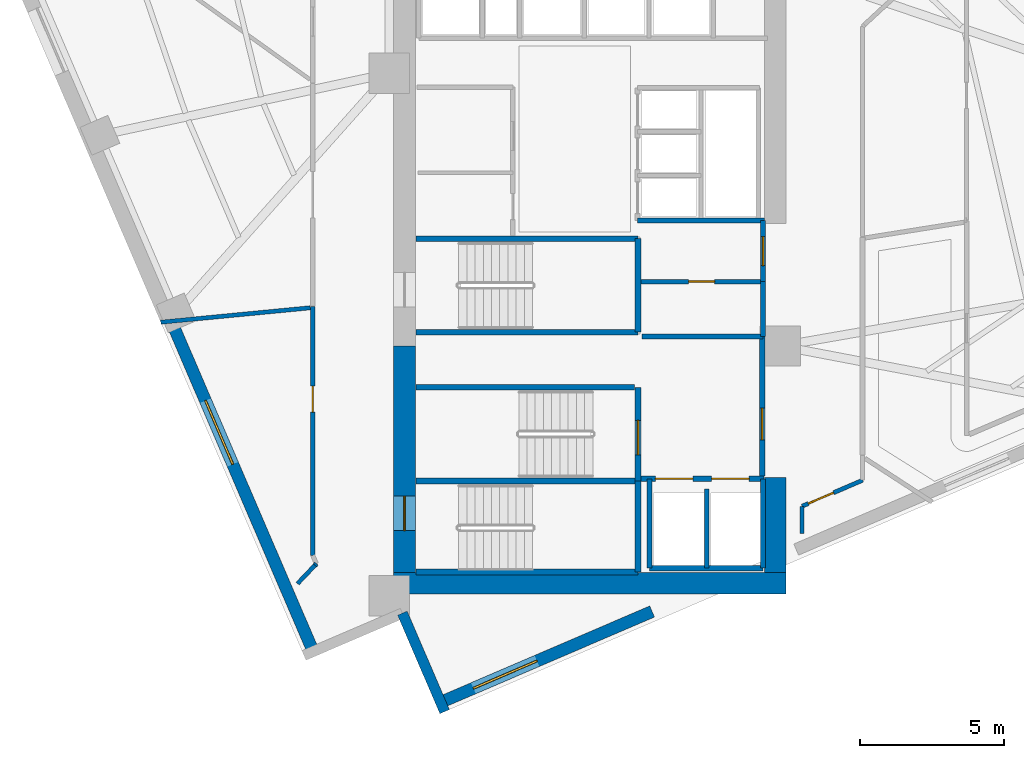
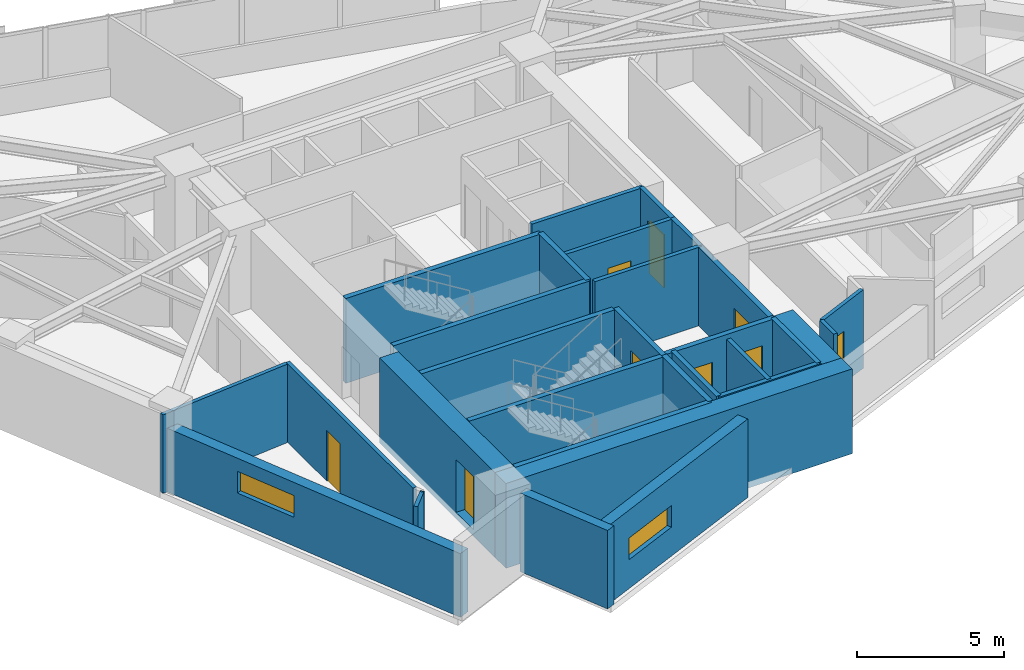
# One storey, part 9 of 14: 31 walls, 9 doors, 2 windows, 11 openings.
"""IFC4 building model written with IfcOpenShell, lengths in metres."""

from ifc_helpers import new_model, si_unit, direction, frame, frame_2d, origin, place, context, subcontext, project, spatial, rectangle, extrude, material, layer, layer_set, type_object, element, fill, save


model = new_model("IFC4")

# Units and contexts
model_context = context("Model", 3, precision=1e-05, world=origin(), true_north=direction((0.0, 1.0)))
body_context = subcontext(model_context, "Body", "Model", "MODEL_VIEW")
ifc_project = project(units=[si_unit("LENGTHUNIT", "METRE"), si_unit("AREAUNIT", "SQUARE_METRE"), si_unit("VOLUMEUNIT", "CUBIC_METRE"), si_unit("PLANEANGLEUNIT", "RADIAN"), si_unit("MASSUNIT", "GRAM", prefix="KILO")], contexts=[model_context])

# Site, building, storey
site_placement = place(None, origin())
site = spatial("IfcSite", under=ifc_project, at=site_placement, CompositionType="ELEMENT")
building_placement = place(site_placement, origin())
building = spatial("IfcBuilding", under=site, at=building_placement, Name="Narakoshi Arena Tower", CompositionType="ELEMENT")
storey_placement = place(building_placement, frame((0.0, 0.0, 179.10009765625)))
storey = spatial("IfcBuildingStorey", under=building, at=storey_placement, Name="L48", CompositionType="ELEMENT", Elevation=179.10009765625)

# Wall, opening, door
ifc_material_1 = material(Name="Concrete C50/60", Category="concrete")
ifc_layer_1 = layer(ifc_material_1, 0.75)
ifc_layer_set_1 = layer_set([ifc_layer_1], Name="Concrete C50/60")
wall_type_1 = type_object("IfcWallType", Name="WL-CORE-750", PredefinedType="SHEAR", material=ifc_layer_set_1)
wall_1_placement = place(storey_placement, frame((72.52490234375, 35.5, -0.260009765625), z_axis=(0.0, 0.0, 1.0), x_axis=(0.0, 1.0, 0.0)))
wall_1 = element("IfcWall", 1, at=wall_1_placement, inside=storey, type_object=wall_type_1, Name="L48 Central Core Shear Wall CW-APX-W", PredefinedType="SHEAR", context=body_context, shape_type="SweptSolid", body=[
    extrude(rectangle(XDim=7.85009765625, YDim=0.75, at=frame_2d((3.925048828125, 0.0))), origin(), (0.0, 0.0, 1.0), 3.52001953125),
])
opening_1_placement = place(wall_1_placement, frame((1.449951171875, 0.0, 0.260009765625)))
opening_1 = element("IfcOpeningElement", 2, at=opening_1_placement, cuts=wall_1, Name="Opening D-03", PredefinedType="OPENING", context=body_context, shape_type="SweptSolid", body=[
    extrude(rectangle(XDim=1.199951171875, YDim=2.199951171875, at=frame_2d((0.60009765625, 1.10009765625))), frame((0.0, 0.385009765625, 0.0), z_axis=(0.0, -1.0, 0.0), x_axis=(1.0, 0.0, 0.0)), (0.0, 0.0, 1.0), 0.77001953125),
])
ifc_material_2 = material(Name="Painted galvanized steel", Category="steel")
door_type_1 = type_object("IfcDoorType", Name="DR-STR-1200", OperationType="NOTDEFINED", PredefinedType="USERDEFINED", material=ifc_material_2)
door_1_placement = place(opening_1_placement, frame((1.199951171875, 0.0, 0.0), z_axis=(0.0, 0.0, 1.0), x_axis=(-1.0, 0.0, 0.0)))
door_1 = element("IfcDoor", 3, at=door_1_placement, inside=storey, type_object=door_type_1, Name="DR-L48-001", ObjectType="EXITDOOR", OperationType="SINGLE_SWING_LEFT", OverallHeight=2.199951171875, OverallWidth=1.199951171875, PredefinedType="USERDEFINED", context=body_context, shape_type="SweptSolid", body=[
    extrude(rectangle(XDim=1.199951171875, YDim=2.199951171875, at=frame_2d((0.60009765625, 1.10009765625))), frame((0.0, 0.02490234375, 0.0), z_axis=(0.0, -1.0, 0.0), x_axis=(1.0, 0.0, 0.0)), (0.0, 0.0, 1.0), 0.050048828125),
])
fill(opening_1, door_1)

# Walls
wall_2_placement = place(storey_placement, frame((72.14990234375, 35.125, -0.260009765625), z_axis=(0.0, 0.0, 1.0), x_axis=(1.0, 0.0, 0.0)))
element("IfcWall", 4, at=wall_2_placement, inside=storey, type_object=wall_type_1, Name="L48 Central Core Shear Wall CW-APX-S", PredefinedType="SHEAR", context=body_context, shape_type="SweptSolid", body=[
    extrude(rectangle(XDim=13.60009765625, YDim=0.75, at=frame_2d((6.800048828125, 0.0))), origin(), (0.0, 0.0, 1.0), 3.52001953125),
])
wall_3_placement = place(storey_placement, frame((85.375, 35.5, -0.260009765625), z_axis=(0.0, 0.0, 1.0), x_axis=(0.0, 1.0, 0.0)))
element("IfcWall", 5, at=wall_3_placement, inside=storey, type_object=wall_type_1, Name="L48 Central Core Shear Wall CW-APX-E", PredefinedType="SHEAR", context=body_context, shape_type="SweptSolid", body=[
    extrude(rectangle(XDim=3.300048828125, YDim=0.75, at=frame_2d((1.64990234375, 0.0))), origin(), (0.0, 0.0, 1.0), 3.52001953125),
])

# Wall, opening, door
ifc_material_3 = material(Name="Gypsum plasterboard fire-rated partition")
ifc_layer_2 = layer(ifc_material_3, 0.1650390625)
ifc_layer_set_2 = layer_set([ifc_layer_2], Name="Gypsum plasterboard fire-rated partition")
wall_type_2 = type_object("IfcWallType", Name="WL-CORR-165", PredefinedType="PARTITIONING", material=ifc_layer_set_2)
wall_4_placement = place(storey_placement, frame((84.949951171875, 45.580078125, 0.0), z_axis=(0.0, 0.0, 1.0), x_axis=(0.0, 1.0, 0.0)))
wall_4 = element("IfcWall", 6, at=wall_4_placement, inside=storey, type_object=wall_type_2, Name="L48 Core Wall CPAS-E", PredefinedType="PARTITIONING", context=body_context, shape_type="SweptSolid", body=[
    extrude(rectangle(XDim=2.119873046875, YDim=0.1650390625, at=frame_2d((1.06005859375, 0.0))), origin(), (0.0, 0.0, 1.0), 3.260009765625),
])
opening_2_placement = place(wall_4_placement, frame((0.56005859375, 0.0, 0.0)))
opening_2 = element("IfcOpeningElement", 7, at=opening_2_placement, cuts=wall_4, Name="Opening D-06", PredefinedType="OPENING", context=body_context, shape_type="SweptSolid", body=[
    extrude(rectangle(XDim=1.0, YDim=2.199951171875, at=frame_2d((0.5, 1.10009765625))), frame((0.0, 0.092529296875, 0.0), z_axis=(0.0, -1.0, 0.0), x_axis=(1.0, 0.0, 0.0)), (0.0, 0.0, 1.0), 0.18505859375),
])
ifc_material_4 = material(Name="Stained oak solid-core timber", Category="wood")
door_type_2 = type_object("IfcDoorType", Name="DR-OFF-1000", OperationType="NOTDEFINED", PredefinedType="DOOR", material=ifc_material_4)
door_2_placement = place(opening_2_placement, frame((1.0, 0.0, 0.0), z_axis=(0.0, 0.0, 1.0), x_axis=(-1.0, 0.0, 0.0)))
door_2 = element("IfcDoor", 8, at=door_2_placement, inside=storey, type_object=door_type_2, Name="DR-L48-007", OperationType="SINGLE_SWING_LEFT", OverallHeight=2.199951171875, OverallWidth=1.0, PredefinedType="DOOR", context=body_context, shape_type="SweptSolid", body=[
    extrude(rectangle(XDim=1.0, YDim=2.199951171875, at=frame_2d((0.5, 1.10009765625))), frame((0.0, 0.02490234375, 0.0), z_axis=(0.0, -1.0, 0.0), x_axis=(1.0, 0.0, 0.0)), (0.0, 0.0, 1.0), 0.050048828125),
])
fill(opening_2, door_2)

# Wall, opening, window
ifc_material_5 = material(Name="Precast concrete C45/55", Category="concrete")
ifc_layer_3 = layer(ifc_material_5, 0.419921875)
ifc_layer_set_3 = layer_set([ifc_layer_3], Name="Precast concrete C45/55")
wall_type_3 = type_object("IfcWallType", Name="WL-POD-420", PredefinedType="SOLIDWALL", material=ifc_layer_set_3)
wall_5_placement = place(storey_placement, frame((73.77880859375, 31.002685546875, 0.0), z_axis=(0.0, 0.0, 1.0), x_axis=(0.918797817688, 0.394728476565, 0.0)))
wall_5 = element("IfcWall", 9, at=wall_5_placement, inside=storey, type_object=wall_type_3, Name="L48 Architectural Concrete Facade Wall LEGA-1", PredefinedType="SOLIDWALL", context=body_context, shape_type="SweptSolid", body=[
    extrude(rectangle(XDim=7.97314453125, YDim=0.419921875, at=frame_2d((3.986572265625, 0.0))), origin(), (0.0, 0.0, 1.0), 3.260009765625),
])
opening_3_placement = place(wall_5_placement, frame((1.234130859375, 0.0, 1.199951171875)))
opening_3 = element("IfcOpeningElement", 10, at=opening_3_placement, cuts=wall_5, Name="Opening WN-01", PredefinedType="OPENING", context=body_context, shape_type="SweptSolid", body=[
    extrude(rectangle(XDim=2.39990234375, YDim=0.89990234375, at=frame_2d((1.199951171875, 0.449951171875))), frame((0.0, 0.219970703125, 0.0), z_axis=(0.0, -1.0, 0.0), x_axis=(1.0, 0.0, 0.0)), (0.0, 0.0, 1.0), 0.43994140625),
])
ifc_material_6 = material(Name="Bronze-tinted low-E laminated glass", Category="glass")
window_type = type_object("IfcWindowType", Name="WIN-SLT-24x09", PartitioningType="SINGLE_PANEL", PredefinedType="WINDOW", material=ifc_material_6)
window_1_placement = place(opening_3_placement, origin())
window_1 = element("IfcWindow", 11, at=window_1_placement, inside=storey, type_object=window_type, Name="L48 LEGA1 Horizontal Slot Window 1", OverallHeight=0.89990234375, OverallWidth=2.39990234375, PartitioningType="SINGLE_PANEL", PredefinedType="WINDOW", context=body_context, shape_type="SweptSolid", body=[
    extrude(rectangle(XDim=2.39990234375, YDim=0.89990234375, at=frame_2d((1.199951171875, 0.449951171875))), frame((0.0, 0.030029296875, 0.0), z_axis=(0.0, -1.0, 0.0), x_axis=(1.0, 0.0, 0.0)), (0.0, 0.0, 1.0), 0.06005859375),
])
fill(opening_3, window_1)

wall_6_placement = place(storey_placement, frame((64.36669921875, 44.390869140625, 0.0), z_axis=(0.0, 0.0, 1.0), x_axis=(0.394757430431, -0.918785378159, 0.0)))
wall_6 = element("IfcWall", 12, at=wall_6_placement, inside=storey, type_object=wall_type_3, Name="L48 Architectural Concrete Facade Wall LEGB-3", PredefinedType="SOLIDWALL", context=body_context, shape_type="SweptSolid", body=[
    extrude(rectangle(XDim=12.653564453125, YDim=0.419921875, at=frame_2d((6.32666015625, 0.0))), origin(), (0.0, 0.0, 1.0), 2.64501953125),
])
opening_4_placement = place(wall_6_placement, frame((3.193115234375, 0.0, 1.199951171875)))
opening_4 = element("IfcOpeningElement", 13, at=opening_4_placement, cuts=wall_6, Name="Opening WN-01", PredefinedType="OPENING", context=body_context, shape_type="SweptSolid", body=[
    extrude(rectangle(XDim=2.39990234375, YDim=0.89990234375, at=frame_2d((1.199951171875, 0.449951171875))), frame((0.0, 0.219970703125, 0.0), z_axis=(0.0, -1.0, 0.0), x_axis=(1.0, 0.0, 0.0)), (0.0, 0.0, 1.0), 0.43994140625),
])
window_2_placement = place(opening_4_placement, origin())
window_2 = element("IfcWindow", 14, at=window_2_placement, inside=storey, type_object=window_type, Name="L48 LEGB3 Horizontal Slot Window 1", OverallHeight=0.89990234375, OverallWidth=2.39990234375, PartitioningType="SINGLE_PANEL", PredefinedType="WINDOW", context=body_context, shape_type="SweptSolid", body=[
    extrude(rectangle(XDim=2.39990234375, YDim=0.89990234375, at=frame_2d((1.199951171875, 0.449951171875))), frame((0.0, 0.030029296875, 0.0), z_axis=(0.0, -1.0, 0.0), x_axis=(1.0, 0.0, 0.0)), (0.0, 0.0, 1.0), 0.06005859375),
])
fill(opening_4, window_2)

# Walls
wall_7_placement = place(storey_placement, frame((72.451416015625, 34.09228515625, 0.0), z_axis=(0.0, 0.0, 1.0), x_axis=(0.394752464447, -0.918787511786, 0.0)))
element("IfcWall", 15, at=wall_7_placement, inside=storey, type_object=wall_type_3, Name="L48 Re-Entrant Corner Notch Wall NTA-2", PredefinedType="SOLIDWALL", context=body_context, shape_type="SweptSolid", body=[
    extrude(rectangle(XDim=3.712646484375, YDim=0.360107421875, at=frame_2d((1.8564453125, 0.0))), origin(), (0.0, 0.0, 1.0), 3.260009765625),
])
ifc_material_7 = material(Name="Concrete C40/50", Category="concrete")
ifc_layer_4 = layer(ifc_material_7, 0.280029296875)
ifc_layer_set_4 = layer_set([ifc_layer_4], Name="Concrete C40/50")
wall_type_4 = type_object("IfcWallType", Name="WL-RISER-280", PredefinedType="PLUMBINGWALL", material=ifc_layer_set_4)
wall_8_placement = place(storey_placement, frame((83.0, 35.64990234375, 0.0), z_axis=(0.0, 0.0, 1.0), x_axis=(0.0, 1.0, 0.0)))
element("IfcWall", 16, at=wall_8_placement, inside=storey, type_object=wall_type_4, Name="L48 Core Wall FF-DIV", PredefinedType="PLUMBINGWALL", context=body_context, shape_type="SweptSolid", body=[
    extrude(rectangle(XDim=2.75, YDim=0.159912109375, at=frame_2d((1.375, 0.0))), origin(), (0.0, 0.0, 1.0), 3.260009765625),
])
wall_9_placement = place(storey_placement, frame((84.949951171875, 43.679931640625, 0.0), z_axis=(0.0, 0.0, 1.0), x_axis=(0.0, 1.0, 0.0)))
element("IfcWall", 17, at=wall_9_placement, inside=storey, type_object=wall_type_4, Name="L48 Core Wall RSR-E", PredefinedType="PLUMBINGWALL", context=body_context, shape_type="SweptSolid", body=[
    extrude(rectangle(XDim=1.900146484375, YDim=0.1650390625, at=frame_2d((0.9501953125, 0.0))), origin(), (0.0, 0.0, 1.0), 3.260009765625),
])

# Wall, opening, door
wall_10_placement = place(storey_placement, frame((80.719970703125, 45.580078125, 0.0), z_axis=(0.0, 0.0, 1.0), x_axis=(1.0, 0.0, 0.0)))
wall_10 = element("IfcWall", 18, at=wall_10_placement, inside=storey, type_object=wall_type_4, Name="L48 Core Wall RSR-N", PredefinedType="PLUMBINGWALL", context=body_context, shape_type="SweptSolid", body=[
    extrude(rectangle(XDim=4.22998046875, YDim=0.159912109375, at=frame_2d((2.114990234375, 0.0))), origin(), (0.0, 0.0, 1.0), 3.260009765625),
])
opening_5_placement = place(wall_10_placement, frame((1.64990234375, 0.0, 0.0)))
opening_5 = element("IfcOpeningElement", 19, at=opening_5_placement, cuts=wall_10, Name="Opening D-08", PredefinedType="OPENING", context=body_context, shape_type="SweptSolid", body=[
    extrude(rectangle(XDim=0.89990234375, YDim=2.10009765625, at=frame_2d((0.449951171875, 1.050048828125))), frame((0.0, 0.08984375, 0.0), z_axis=(0.0, -1.0, 0.0), x_axis=(1.0, 0.0, 0.0)), (0.0, 0.0, 1.0), 0.179931640625),
])
ifc_material_8 = material(Name="Moisture-resistant laminate timber", Category="wood")
door_type_3 = type_object("IfcDoorType", Name="DR-WC-900", OperationType="NOTDEFINED", PredefinedType="DOOR", material=ifc_material_8)
door_3_placement = place(opening_5_placement, frame((0.89990234375, 0.0, 0.0), z_axis=(0.0, 0.0, 1.0), x_axis=(-1.0, 0.0, 0.0)))
door_3 = element("IfcDoor", 20, at=door_3_placement, inside=storey, type_object=door_type_3, Name="DR-L48-008", OperationType="SINGLE_SWING_LEFT", OverallHeight=2.10009765625, OverallWidth=0.89990234375, PredefinedType="DOOR", context=body_context, shape_type="SweptSolid", body=[
    extrude(rectangle(XDim=0.89990234375, YDim=2.10009765625, at=frame_2d((0.449951171875, 1.050048828125))), frame((0.0, 0.02490234375, 0.0), z_axis=(0.0, -1.0, 0.0), x_axis=(1.0, 0.0, 0.0)), (0.0, 0.0, 1.0), 0.050048828125),
])
fill(opening_5, door_3)

# Walls
wall_11_placement = place(storey_placement, frame((80.760009765625, 43.679931640625, 0.0), z_axis=(0.0, 0.0, 1.0), x_axis=(1.0, 0.0, 0.0)))
element("IfcWall", 21, at=wall_11_placement, inside=storey, type_object=wall_type_4, Name="L48 Core Wall RSR-S", PredefinedType="PLUMBINGWALL", context=body_context, shape_type="SweptSolid", body=[
    extrude(rectangle(XDim=4.18994140625, YDim=0.159912109375, at=frame_2d((2.094970703125, 0.0))), origin(), (0.0, 0.0, 1.0), 3.260009765625),
])
ifc_layer_5 = layer(ifc_material_1, 0.35009765625)
ifc_layer_set_5 = layer_set([ifc_layer_5], Name="Concrete C50/60")
wall_type_5 = type_object("IfcWallType", Name="WL-SHAFT-350", PredefinedType="SOLIDWALL", material=ifc_layer_set_5)
for number, where, z_axis, x_axis, name in (
    (22, (72.919921875, 35.52001953125, -0.260009765625), (0.0, 0.0, 1.0), (1.0, 0.0, 0.0), "L48 Core Wall ST1-S"),
    (23, (72.919921875, 38.675048828125, -0.260009765625), (0.0, 0.0, 1.0), (1.0, 0.0, 0.0), "L48 Core Wall ST12-DIV"),
):
    element("IfcWall", number, at=place(storey_placement, frame(where, z_axis=z_axis, x_axis=x_axis)), inside=storey, type_object=wall_type_5, Name=name, PredefinedType="SOLIDWALL", context=body_context, shape_type="SweptSolid", body=[
        extrude(rectangle(XDim=7.7001953125, YDim=0.199951171875, at=frame_2d((3.85009765625, 0.0))), origin(), (0.0, 0.0, 1.0), 3.52001953125),
    ])
wall_12_placement = place(storey_placement, frame((80.6201171875, 35.52001953125, -0.260009765625), z_axis=(0.0, 0.0, 1.0), x_axis=(0.0, 1.0, 0.0)))
element("IfcWall", 24, at=wall_12_placement, inside=storey, type_object=wall_type_5, Name="L48 Core Wall ST1-E", PredefinedType="SOLIDWALL", context=body_context, shape_type="SweptSolid", body=[
    extrude(rectangle(XDim=3.155029296875, YDim=0.199951171875, at=frame_2d((1.57763671875, 0.0))), origin(), (0.0, 0.0, 1.0), 3.52001953125),
])

# Wall, opening, door
wall_13_placement = place(storey_placement, frame((80.6201171875, 38.675048828125, -0.260009765625), z_axis=(0.0, 0.0, 1.0), x_axis=(0.0, 1.0, 0.0)))
wall_13 = element("IfcWall", 25, at=wall_13_placement, inside=storey, type_object=wall_type_5, Name="L48 Core Wall ST2-E", PredefinedType="SOLIDWALL", context=body_context, shape_type="SweptSolid", body=[
    extrude(rectangle(XDim=3.244873046875, YDim=0.199951171875, at=frame_2d((1.62255859375, 0.0))), origin(), (0.0, 0.0, 1.0), 3.52001953125),
])
opening_6_placement = place(wall_13_placement, frame((0.89990234375, 0.0, 0.260009765625)))
opening_6 = element("IfcOpeningElement", 26, at=opening_6_placement, cuts=wall_13, Name="Opening D-03", PredefinedType="OPENING", context=body_context, shape_type="SweptSolid", body=[
    extrude(rectangle(XDim=1.199951171875, YDim=2.199951171875, at=frame_2d((0.60009765625, 1.10009765625))), frame((0.0, 0.10986328125, 0.0), z_axis=(0.0, -1.0, 0.0), x_axis=(1.0, 0.0, 0.0)), (0.0, 0.0, 1.0), 0.219970703125),
])
door_4_placement = place(opening_6_placement, origin())
door_4 = element("IfcDoor", 27, at=door_4_placement, inside=storey, type_object=door_type_1, Name="DR-L48-002", ObjectType="EXITDOOR", OperationType="SINGLE_SWING_RIGHT", OverallHeight=2.199951171875, OverallWidth=1.199951171875, PredefinedType="USERDEFINED", context=body_context, shape_type="SweptSolid", body=[
    extrude(rectangle(XDim=1.199951171875, YDim=2.199951171875, at=frame_2d((0.60009765625, 1.10009765625))), frame((0.0, 0.02490234375, 0.0), z_axis=(0.0, -1.0, 0.0), x_axis=(1.0, 0.0, 0.0)), (0.0, 0.0, 1.0), 0.050048828125),
])
fill(opening_6, door_4)

# Wall, openings, doors
wall_14_placement = place(storey_placement, frame((80.719970703125, 38.75, 0.0), z_axis=(0.0, 0.0, 1.0), x_axis=(1.0, 0.0, 0.0)))
wall_14 = element("IfcWall", 28, at=wall_14_placement, inside=storey, type_object=wall_type_5, Name="L48 Core Wall FF-N", PredefinedType="SOLIDWALL", context=body_context, shape_type="SweptSolid", body=[
    extrude(rectangle(XDim=4.260009765625, YDim=0.199951171875, at=frame_2d((2.1298828125, 0.0))), origin(), (0.0, 0.0, 1.0), 3.260009765625),
])
opening_7_placement = place(wall_14_placement, frame((0.5, 0.0, 0.0)))
opening_7 = element("IfcOpeningElement", 29, at=opening_7_placement, cuts=wall_14, Name="Opening LD-02", PredefinedType="OPENING", context=body_context, shape_type="SweptSolid", body=[
    extrude(rectangle(XDim=1.300048828125, YDim=2.300048828125, at=frame_2d((0.64990234375, 1.14990234375))), frame((0.0, 0.10986328125, 0.0), z_axis=(0.0, -1.0, 0.0), x_axis=(1.0, 0.0, 0.0)), (0.0, 0.0, 1.0), 0.219970703125),
])
opening_8_placement = place(wall_14_placement, frame((2.449951171875, 0.0, 0.0)))
opening_8 = element("IfcOpeningElement", 30, at=opening_8_placement, cuts=wall_14, Name="Opening LD-02", PredefinedType="OPENING", context=body_context, shape_type="SweptSolid", body=[
    extrude(rectangle(XDim=1.300048828125, YDim=2.300048828125, at=frame_2d((0.64990234375, 1.14990234375))), frame((0.0, 0.10986328125, 0.0), z_axis=(0.0, -1.0, 0.0), x_axis=(1.0, 0.0, 0.0)), (0.0, 0.0, 1.0), 0.219970703125),
])
ifc_material_9 = material(Name="Brushed bronze stainless steel", Category="steel")
door_type_4 = type_object("IfcDoorType", Name="DR-LFT-1300", OperationType="DOUBLE_DOOR_SLIDING", PredefinedType="DOOR", material=ifc_material_9)
door_5_placement = place(opening_7_placement, origin())
door_5 = element("IfcDoor", 31, at=door_5_placement, inside=storey, type_object=door_type_4, Name="DR-L48-003", OperationType="DOUBLE_DOOR_SLIDING", OverallHeight=2.300048828125, OverallWidth=1.300048828125, PredefinedType="DOOR", context=body_context, shape_type="SweptSolid", body=[
    extrude(rectangle(XDim=1.300048828125, YDim=2.300048828125, at=frame_2d((0.64990234375, 1.14990234375))), frame((0.0, 0.02490234375, 0.0), z_axis=(0.0, -1.0, 0.0), x_axis=(1.0, 0.0, 0.0)), (0.0, 0.0, 1.0), 0.050048828125),
])
fill(opening_7, door_5)
door_6_placement = place(opening_8_placement, origin())
door_6 = element("IfcDoor", 32, at=door_6_placement, inside=storey, type_object=door_type_4, Name="DR-L48-004", OperationType="DOUBLE_DOOR_SLIDING", OverallHeight=2.300048828125, OverallWidth=1.300048828125, PredefinedType="DOOR", context=body_context, shape_type="SweptSolid", body=[
    extrude(rectangle(XDim=1.300048828125, YDim=2.300048828125, at=frame_2d((0.64990234375, 1.14990234375))), frame((0.0, 0.02490234375, 0.0), z_axis=(0.0, -1.0, 0.0), x_axis=(1.0, 0.0, 0.0)), (0.0, 0.0, 1.0), 0.050048828125),
])
fill(opening_8, door_6)

# Walls
for number, where, z_axis, x_axis, name in (
    (33, (84.949951171875, 35.64990234375, 0.0), (0.0, 0.0, 1.0), (0.0, 1.0, 0.0), "L48 Core Wall FF-E"),
    (34, (81.02001953125, 35.64990234375, 0.0), (0.0, 0.0, 1.0), (0.0, 1.0, 0.0), "L48 Core Wall FF-W"),
):
    element("IfcWall", number, at=place(storey_placement, frame(where, z_axis=z_axis, x_axis=x_axis)), inside=storey, type_object=wall_type_5, Name=name, PredefinedType="SOLIDWALL", context=body_context, shape_type="SweptSolid", body=[
        extrude(rectangle(XDim=3.10009765625, YDim=0.179931640625, at=frame_2d((1.550048828125, 0.0))), origin(), (0.0, 0.0, 1.0), 3.260009765625),
    ])
wall_15_placement = place(storey_placement, frame((81.02001953125, 35.64990234375, 0.0), z_axis=(0.0, 0.0, 1.0), x_axis=(1.0, 0.0, 0.0)))
element("IfcWall", 35, at=wall_15_placement, inside=storey, type_object=wall_type_5, Name="L48 Core Wall FF-S", PredefinedType="SOLIDWALL", context=body_context, shape_type="SweptSolid", body=[
    extrude(rectangle(XDim=3.929931640625, YDim=0.179931640625, at=frame_2d((1.96484375, 0.0))), origin(), (0.0, 0.0, 1.0), 3.260009765625),
])

# Wall, opening, door
wall_16_placement = place(storey_placement, frame((84.919921875, 38.85009765625, 0.0), z_axis=(0.0, 0.0, 1.0), x_axis=(0.0, 1.0, 0.0)))
wall_16 = element("IfcWall", 36, at=wall_16_placement, inside=storey, type_object=wall_type_5, Name="L48 Core Wall FFLOB-E", PredefinedType="SOLIDWALL", context=body_context, shape_type="SweptSolid", body=[
    extrude(rectangle(XDim=4.829833984375, YDim=0.199951171875, at=frame_2d((2.4150390625, 0.0))), origin(), (0.0, 0.0, 1.0), 3.260009765625),
])
opening_9_placement = place(wall_16_placement, frame((1.25, 0.0, 0.0)))
opening_9 = element("IfcOpeningElement", 37, at=opening_9_placement, cuts=wall_16, Name="Opening D-04", PredefinedType="OPENING", context=body_context, shape_type="SweptSolid", body=[
    extrude(rectangle(XDim=1.10009765625, YDim=2.199951171875, at=frame_2d((0.550048828125, 1.10009765625))), frame((0.0, 0.10986328125, 0.0), z_axis=(0.0, -1.0, 0.0), x_axis=(1.0, 0.0, 0.0)), (0.0, 0.0, 1.0), 0.219970703125),
])
door_type_5 = type_object("IfcDoorType", Name="DR-FFL-1100", OperationType="NOTDEFINED", PredefinedType="DOOR", material=ifc_material_2)
door_7_placement = place(opening_9_placement, frame((1.10009765625, 0.0, 0.0), z_axis=(0.0, 0.0, 1.0), x_axis=(-1.0, 0.0, 0.0)))
door_7 = element("IfcDoor", 38, at=door_7_placement, inside=storey, type_object=door_type_5, Name="DR-L48-005", OperationType="SINGLE_SWING_RIGHT", OverallHeight=2.199951171875, OverallWidth=1.10009765625, PredefinedType="DOOR", context=body_context, shape_type="SweptSolid", body=[
    extrude(rectangle(XDim=1.10009765625, YDim=2.199951171875, at=frame_2d((0.550048828125, 1.10009765625))), frame((0.0, 0.02490234375, 0.0), z_axis=(0.0, -1.0, 0.0), x_axis=(1.0, 0.0, 0.0)), (0.0, 0.0, 1.0), 0.050048828125),
])
fill(opening_9, door_7)

# Walls
wall_17_placement = place(storey_placement, frame((72.919921875, 41.919921875, -0.260009765625), z_axis=(0.0, 0.0, 1.0), x_axis=(1.0, 0.0, 0.0)))
element("IfcWall", 39, at=wall_17_placement, inside=storey, type_object=wall_type_5, Name="L48 Core Wall ST2-N", PredefinedType="SOLIDWALL", context=body_context, shape_type="SweptSolid", body=[
    extrude(rectangle(XDim=7.580078125, YDim=0.199951171875, at=frame_2d((3.7900390625, 0.0))), origin(), (0.0, 0.0, 1.0), 3.52001953125),
])
for number, where, z_axis, x_axis, name in (
    (40, (72.919921875, 43.830078125, -0.260009765625), (0.0, 0.0, 1.0), (1.0, 0.0, 0.0), "L48 Core Wall ST3-S"),
    (41, (72.919921875, 47.070068359375, -0.260009765625), (0.0, 0.0, 1.0), (1.0, 0.0, 0.0), "L48 Core Wall ST3-N"),
):
    element("IfcWall", number, at=place(storey_placement, frame(where, z_axis=z_axis, x_axis=x_axis)), inside=storey, type_object=wall_type_5, Name=name, PredefinedType="SOLIDWALL", context=body_context, shape_type="SweptSolid", body=[
        extrude(rectangle(XDim=7.7001953125, YDim=0.199951171875, at=frame_2d((3.85009765625, 0.0))), origin(), (0.0, 0.0, 1.0), 3.52001953125),
    ])
wall_18_placement = place(storey_placement, frame((80.6201171875, 43.830078125, -0.260009765625), z_axis=(0.0, 0.0, 1.0), x_axis=(0.0, 1.0, 0.0)))
element("IfcWall", 42, at=wall_18_placement, inside=storey, type_object=wall_type_5, Name="L48 Core Wall ST3-E", PredefinedType="SOLIDWALL", context=body_context, shape_type="SweptSolid", body=[
    extrude(rectangle(XDim=3.239990234375, YDim=0.199951171875, at=frame_2d((1.6201171875, 0.0))), origin(), (0.0, 0.0, 1.0), 3.52001953125),
])
wall_19_placement = place(storey_placement, frame((80.60009765625, 47.699951171875, 0.0), z_axis=(0.0, 0.0, 1.0), x_axis=(1.0, 0.0, 0.0)))
element("IfcWall", 43, at=wall_19_placement, inside=storey, type_object=wall_type_5, Name="L48 Core Wall MR-S", PredefinedType="SOLIDWALL", context=body_context, shape_type="SweptSolid", body=[
    extrude(rectangle(XDim=4.39990234375, YDim=0.159912109375, at=frame_2d((2.199951171875, 0.0))), origin(), (0.0, 0.0, 1.0), 3.260009765625),
])

# Wall, opening, door
ifc_material_10 = material(Name="Moisture-resistant cement-board partition")
ifc_layer_6 = layer(ifc_material_10, 0.14501953125)
ifc_layer_set_6 = layer_set([ifc_layer_6], Name="Moisture-resistant cement-board partition")
wall_type_6 = type_object("IfcWallType", Name="WL-WET-145", PredefinedType="PARTITIONING", material=ifc_layer_set_6)
wall_20_placement = place(storey_placement, frame((69.344970703125, 44.71923828125, 0.0), z_axis=(0.0, 0.0, 1.0), x_axis=(0.0, -1.0, 0.0)))
wall_20 = element("IfcWall", 44, at=wall_20_placement, inside=storey, type_object=wall_type_6, Name="L48 Corridor Partition 01-1", PredefinedType="PARTITIONING", context=body_context, shape_type="SweptSolid", body=[
    extrude(rectangle(XDim=8.6220703125, YDim=0.14501953125, at=frame_2d((4.31103515625, 0.0))), origin(), (0.0, 0.0, 1.0), 3.260009765625),
])
opening_10_placement = place(wall_20_placement, frame((2.7626953125, 0.0, 0.0)))
opening_10 = element("IfcOpeningElement", 45, at=opening_10_placement, cuts=wall_20, Name="Opening D-08", PredefinedType="OPENING", context=body_context, shape_type="SweptSolid", body=[
    extrude(rectangle(XDim=0.89990234375, YDim=2.10009765625, at=frame_2d((0.449951171875, 1.050048828125))), frame((0.0, 0.08251953125, 0.0), z_axis=(0.0, -1.0, 0.0), x_axis=(1.0, 0.0, 0.0)), (0.0, 0.0, 1.0), 0.1650390625),
])
door_8_placement = place(opening_10_placement, frame((0.89990234375, 0.0, 0.0), z_axis=(0.0, 0.0, 1.0), x_axis=(-1.0, 0.0, 0.0)))
door_8 = element("IfcDoor", 46, at=door_8_placement, inside=storey, type_object=door_type_3, Name="DR-L48-014", OperationType="SINGLE_SWING_RIGHT", OverallHeight=2.10009765625, OverallWidth=0.89990234375, PredefinedType="DOOR", context=body_context, shape_type="SweptSolid", body=[
    extrude(rectangle(XDim=0.89990234375, YDim=2.10009765625, at=frame_2d((0.449951171875, 1.050048828125))), frame((0.0, 0.02490234375, 0.0), z_axis=(0.0, -1.0, 0.0), x_axis=(1.0, 0.0, 0.0)), (0.0, 0.0, 1.0), 0.050048828125),
])
fill(opening_10, door_8)

# Walls
wall_21_placement = place(storey_placement, frame((69.470947265625, 35.8037109375, 0.0), z_axis=(0.0, 0.0, 1.0), x_axis=(-0.690029650349, -0.723781100637, 0.0)))
element("IfcWall", 47, at=wall_21_placement, inside=storey, type_object=wall_type_6, Name="L48 Corridor Partition 01-3", PredefinedType="PARTITIONING", context=body_context, shape_type="SweptSolid", body=[
    extrude(rectangle(XDim=0.065185546875, YDim=0.14501953125, at=frame_2d((0.03271484375, 0.0))), origin(), (0.0, 0.0, 1.0), 3.260009765625),
])
wall_22_placement = place(storey_placement, frame((64.078857421875, 44.17431640625, 0.0), z_axis=(0.0, 0.0, 1.0), x_axis=(0.995367692374, 0.096141338549, 0.0)))
element("IfcWall", 48, at=wall_22_placement, inside=storey, type_object=wall_type_6, Name="L48 Inter-Room Partition 01-09", PredefinedType="PARTITIONING", context=body_context, shape_type="SweptSolid", body=[
    extrude(rectangle(XDim=5.205810546875, YDim=0.14501953125, at=frame_2d((2.60302734375, 0.0))), origin(), (0.0, 0.0, 1.0), 3.260009765625),
])

# Wall, opening, door
wall_23_placement = place(storey_placement, frame((86.300048828125, 37.797119140625, 0.0), z_axis=(0.0, 0.0, 1.0), x_axis=(0.918802105609, 0.39471849555, 0.0)))
wall_23 = element("IfcWall", 49, at=wall_23_placement, inside=storey, type_object=wall_type_6, Name="L48 Corridor Partition 02-1", PredefinedType="PARTITIONING", context=body_context, shape_type="SweptSolid", body=[
    extrude(rectangle(XDim=2.285400390625, YDim=0.14501953125, at=frame_2d((1.142578125, 0.0))), origin(), (0.0, 0.0, 1.0), 3.260009765625),
])
opening_11_placement = place(wall_23_placement, frame((0.2373046875, 0.0, 0.0)))
opening_11 = element("IfcOpeningElement", 50, at=opening_11_placement, cuts=wall_23, Name="Opening D-07", PredefinedType="OPENING", context=body_context, shape_type="SweptSolid", body=[
    extrude(rectangle(XDim=0.949951171875, YDim=2.14990234375, at=frame_2d((0.47509765625, 1.074951171875))), frame((0.0, 0.08251953125, 0.0), z_axis=(0.0, -1.0, 0.0), x_axis=(1.0, 0.0, 0.0)), (0.0, 0.0, 1.0), 0.1650390625),
])
door_type_6 = type_object("IfcDoorType", Name="DR-ACC-950", OperationType="NOTDEFINED", PredefinedType="DOOR", material=ifc_material_4)
door_9_placement = place(opening_11_placement, frame((0.949951171875, 0.0, 0.0), z_axis=(0.0, 0.0, 1.0), x_axis=(-1.0, 0.0, 0.0)))
door_9 = element("IfcDoor", 51, at=door_9_placement, inside=storey, type_object=door_type_6, Name="DR-L48-015", OperationType="SINGLE_SWING_RIGHT", OverallHeight=2.14990234375, OverallWidth=0.949951171875, PredefinedType="DOOR", context=body_context, shape_type="SweptSolid", body=[
    extrude(rectangle(XDim=0.949951171875, YDim=2.14990234375, at=frame_2d((0.47509765625, 1.074951171875))), frame((0.0, 0.02490234375, 0.0), z_axis=(0.0, -1.0, 0.0), x_axis=(1.0, 0.0, 0.0)), (0.0, 0.0, 1.0), 0.050048828125),
])
fill(opening_11, door_9)

# Walls
wall_24_placement = place(storey_placement, frame((69.426025390625, 35.756591796875, 0.0), z_axis=(0.0, 0.0, 1.0), x_axis=(-0.689011535927, -0.724750373135, 0.0)))
element("IfcWall", 52, at=wall_24_placement, inside=storey, type_object=wall_type_6, Name="L48 Room Enclosure Partition 01-1", PredefinedType="PARTITIONING", context=body_context, shape_type="SweptSolid", body=[
    extrude(rectangle(XDim=0.88134765625, YDim=0.14501953125, at=frame_2d((0.440673828125, 0.0))), origin(), (0.0, 0.0, 1.0), 3.260009765625),
])
wall_25_placement = place(storey_placement, frame((86.300048828125, 36.85009765625, 0.0), z_axis=(0.0, 0.0, 1.0), x_axis=(0.0, 1.0, 0.0)))
element("IfcWall", 53, at=wall_25_placement, inside=storey, type_object=wall_type_6, Name="L48 Room Enclosure Partition 02-1", PredefinedType="PARTITIONING", context=body_context, shape_type="SweptSolid", body=[
    extrude(rectangle(XDim=0.947021484375, YDim=0.14501953125, at=frame_2d((0.4736328125, 0.0))), origin(), (0.0, 0.0, 1.0), 3.260009765625),
])

save(model, "model.ifc")
